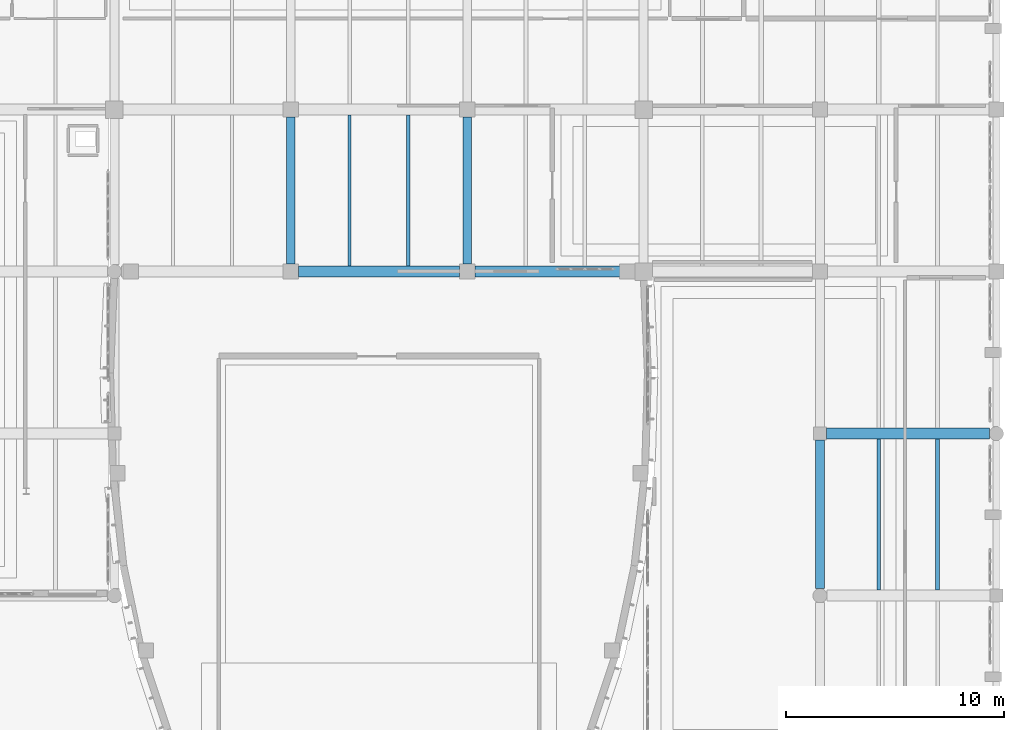
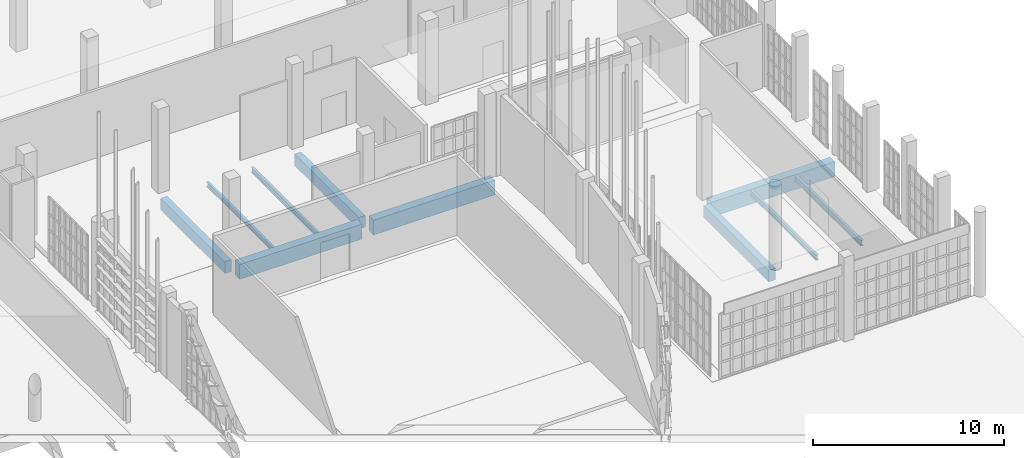
# One storey, part 281 of 372: 10 beams.
"""IFC4 building model written with IfcOpenShell, lengths in metres."""

import ifcopenshell
import ifcopenshell.guid

model = None  # the IFC model being written
_history = None  # IfcOwnerHistory: only IFC2X3 demands one
_inside = {}  # id of a spatial element -> (the spatial element, [elements in it])
_under = {}  # id of a project, library or spatial element -> (it, [spatial elements below it])
_declared = {}  # id of a project -> (the project, [libraries it declares])
_typed = {}  # id of a type object -> (the type object, [elements of that type])
_made_of = {}  # id of a material, layer set ... -> (it, [elements and type objects made of it])


def new_model(schema):
    """Start an empty IFC model of exactly this schema.

    Asked for "IFC4X3", IfcOpenShell would pick the latest addendum, in which some entities
    have other attributes; the version numbers below select the first issue.
    IFC2X3 requires an IfcOwnerHistory on every rooted entity: one is made here for all.
    """
    global model, _history
    if schema == "IFC4X3":
        model = ifcopenshell.file(schema_version=(4, 3, 0, 0))
    else:
        model = ifcopenshell.file(schema=schema)
    _inside.clear()
    _under.clear()
    _declared.clear()
    _typed.clear()
    _made_of.clear()
    _history = None
    if model.schema == "IFC2X3":
        org = make("IfcOrganization", Name="unknown")
        user = make(
            "IfcPersonAndOrganization",
            ThePerson=make("IfcPerson", FamilyName="unknown"),
            TheOrganization=org,
        )
        app = make(
            "IfcApplication",
            ApplicationDeveloper=org,
            Version="unknown",
            ApplicationFullName="unknown",
            ApplicationIdentifier="unknown",
        )
        _history = make(
            "IfcOwnerHistory",
            OwningUser=user,
            OwningApplication=app,
            ChangeAction="ADDED",
            CreationDate=0,
        )
    return model


def make(cls, **values):
    """One entity of the class cls with the attributes given. An attribute that is None is left unset."""
    return model.create_entity(
        cls, **{name: value for name, value in values.items() if value is not None}
    )


def rooted(cls, **values):
    """An entity with a GlobalId (a new one), such as an element, a storey or a relation."""
    return make(cls, GlobalId=ifcopenshell.guid.new(), OwnerHistory=_history, **values)


def si_unit(unit_type, name, prefix=None):
    """IfcSIUnit, for example si_unit("LENGTHUNIT", "METRE", prefix="MILLI")."""
    return make("IfcSIUnit", UnitType=unit_type, Prefix=prefix, Name=name)


def assignment(units):
    """IfcUnitAssignment: the units of a project."""
    return None if units is None else make("IfcUnitAssignment", Units=units)


def point(xyz):
    """IfcCartesianPoint."""
    return None if xyz is None else make("IfcCartesianPoint", Coordinates=xyz)


def direction(xyz):
    """IfcDirection."""
    return None if xyz is None else make("IfcDirection", DirectionRatios=xyz)


def frame(location, z_axis=None, x_axis=None):
    """IfcAxis2Placement3D, a coordinate frame: its origin and axes. An axis left out is left unset."""
    return make(
        "IfcAxis2Placement3D",
        Location=point(location),
        Axis=direction(z_axis),
        RefDirection=direction(x_axis),
    )


def frame_2d(location, x_axis=None):
    """IfcAxis2Placement2D, a coordinate frame in the plane: its origin and x axis."""
    return make(
        "IfcAxis2Placement2D", Location=point(location), RefDirection=direction(x_axis)
    )


def origin():
    """The frame at (0, 0, 0) with its axes left unset."""
    return frame((0.0, 0.0, 0.0))


def origin_2d():
    """The frame at (0, 0) in the plane with its x axis left unset."""
    return frame_2d((0.0, 0.0))


def place(relative_to, where):
    """IfcLocalPlacement: puts the frame where relative to a parent placement (None: the world)."""
    return make(
        "IfcLocalPlacement", PlacementRelTo=relative_to, RelativePlacement=where
    )


def context(
    kind, dimensions, precision=None, world=None, true_north=None, identifier=None
):
    """IfcGeometricRepresentationContext, for example the 3D "Model" context."""
    return make(
        "IfcGeometricRepresentationContext",
        ContextIdentifier=identifier,
        ContextType=kind,
        CoordinateSpaceDimension=dimensions,
        Precision=precision,
        WorldCoordinateSystem=world,
        TrueNorth=true_north,
    )


def subcontext(parent, identifier, kind, view, scale=None):
    """IfcGeometricRepresentationSubContext, for example "Body" below "Model"."""
    return make(
        "IfcGeometricRepresentationSubContext",
        ContextIdentifier=identifier,
        ContextType=kind,
        ParentContext=parent,
        TargetScale=scale,
        TargetView=view,
    )


def project(units=None, contexts=None):
    """IfcProject with its units and contexts."""
    return rooted(
        "IfcProject",
        Name="project",
        RepresentationContexts=contexts,
        UnitsInContext=assignment(units),
    )


def spatial(cls, under=None, at=None, **own):
    """A site, building, storey or space (cls), placed at a placement, below another one or the project."""
    s = rooted(cls, ObjectPlacement=at, **own)
    if under is not None:
        _under.setdefault(under.id(), (under, []))[1].append(s)
    return s


def profile(cls, at=None, kind="AREA", **sizes):
    """A parametric profile (cls). Its sizes go by their IFC names, for example OverallWidth=200.0."""
    return make(cls, ProfileType=kind, Position=at, **sizes)


def rectangle(**sizes):
    """IfcRectangleProfileDef."""
    return profile("IfcRectangleProfileDef", **sizes)


def i_section(**sizes):
    """IfcIShapeProfileDef."""
    return profile("IfcIShapeProfileDef", **sizes)


def extrude(swept, where, along, depth):
    """IfcExtrudedAreaSolid: the profile swept, set in the frame where, extruded along a direction by depth."""
    return make(
        "IfcExtrudedAreaSolid",
        SweptArea=swept,
        Position=where,
        ExtrudedDirection=direction(along),
        Depth=depth,
    )


def shape(context_of_items, identifier, shape_type, items):
    """IfcShapeRepresentation: the items that make up one representation, for example the "Body"."""
    return make(
        "IfcShapeRepresentation",
        ContextOfItems=context_of_items,
        RepresentationIdentifier=identifier,
        RepresentationType=shape_type,
        Items=items,
    )


def material(Name=None, Category=None):
    """IfcMaterial."""
    return make("IfcMaterial", Name=Name, Category=Category)


def material_profile(
    of_material, cross_section, Name=None, Category=None, Priority=None
):
    """IfcMaterialProfile: a cross section and its material."""
    return make(
        "IfcMaterialProfile",
        Name=Name,
        Material=of_material,
        Profile=cross_section,
        Priority=Priority,
        Category=Category,
    )


def profile_set(profiles, Name=None, composite=None):
    """IfcMaterialProfileSet."""
    return make(
        "IfcMaterialProfileSet",
        Name=Name,
        MaterialProfiles=profiles,
        CompositeProfile=composite,
    )


def made_of(thing, what):
    """Note that an element or type object is made of a material, layer set ...; save() writes the relation."""
    if what is not None:
        _made_of.setdefault(what.id(), (what, []))[1].append(thing)
    return thing


def type_object(cls, material=None, **own):
    """A type object (cls), such as IfcWallType, which elements share."""
    return made_of(rooted(cls, **own), material)


def element(
    cls,
    number,
    at=None,
    inside=None,
    cuts=None,
    type_object=None,
    material=None,
    context=None,
    identifier="Body",
    shape_type=None,
    held_by="IfcProductDefinitionShape",
    body=None,
    shapes=None,
    **own,
):
    """One element of the class cls, such as IfcWall. Its Tag is "e" and its number.

    at: its placement. inside: the storey or other place that contains it. cuts: it is an
    opening in that element (IfcRelVoidsElement). A single representation is given by context,
    identifier, shape_type and body (its items); several are given by shapes. held_by: the class
    of the entity that holds the representations. save() writes the other relations.
    """
    e = rooted(cls, Tag="e%d" % number, ObjectPlacement=at, **own)
    if body is not None:
        shapes = [shape(context, identifier, shape_type, body)]
    if shapes is not None:
        e.Representation = make(held_by, Representations=shapes)
    if inside is not None:
        _inside.setdefault(inside.id(), (inside, []))[1].append(e)
    if cuts is not None:
        rooted(
            "IfcRelVoidsElement", RelatingBuildingElement=cuts, RelatedOpeningElement=e
        )
    if type_object is not None:
        _typed.setdefault(type_object.id(), (type_object, []))[1].append(e)
    return made_of(e, material)


def aggregate(whole, parts):
    """IfcRelAggregates: a whole, such as a stair, and the parts it consists of."""
    return rooted("IfcRelAggregates", RelatingObject=whole, RelatedObjects=parts)


def save(model, path):
    """Write the relations noted so far, then the file.

    IfcRelAggregates (storeys below a building ...), IfcRelContainedInSpatialStructure (elements
    in a storey), IfcRelDefinesByType, IfcRelAssociatesMaterial and IfcRelDeclares: one each for
    every whole, place, type object, material and project.
    """
    for whole, parts in _under.values():
        aggregate(whole, parts)
    for where, things in _inside.values():
        rooted(
            "IfcRelContainedInSpatialStructure",
            RelatedElements=things,
            RelatingStructure=where,
        )
    for kind, things in _typed.values():
        rooted("IfcRelDefinesByType", RelatedObjects=things, RelatingType=kind)
    for what, things in _made_of.values():
        rooted("IfcRelAssociatesMaterial", RelatedObjects=things, RelatingMaterial=what)
    for by, libraries in _declared.values():
        rooted("IfcRelDeclares", RelatingContext=by, RelatedDefinitions=libraries)
    model.write(path)


model = new_model("IFC4")

# Units and contexts
model_context = context("Model", 3, precision=1e-05, world=origin(), true_north=direction((0.0, 1.0)))
body_context = subcontext(model_context, "Body", "Model", "MODEL_VIEW")
ifc_project = project(units=[si_unit("LENGTHUNIT", "METRE"), si_unit("AREAUNIT", "SQUARE_METRE"), si_unit("VOLUMEUNIT", "CUBIC_METRE"), si_unit("PLANEANGLEUNIT", "RADIAN"), si_unit("MASSUNIT", "GRAM", prefix="KILO")], contexts=[model_context])

# Site, building, storey
site_placement = place(None, origin())
site = spatial("IfcSite", under=ifc_project, at=site_placement, CompositionType="ELEMENT")
building_placement = place(site_placement, origin())
building = spatial("IfcBuilding", under=site, at=building_placement, Name="Kaelora Sail Theatre", CompositionType="ELEMENT")
storey_placement = place(building_placement, origin())
storey = spatial("IfcBuildingStorey", under=building, at=storey_placement, Name="L00", CompositionType="ELEMENT", Elevation=0.0)

# Beams
ifc_material_1 = material(Name="Concrete C40/50", Category="concrete")
ifc_material_profile_1 = material_profile(ifc_material_1, rectangle(XDim=0.39990234375, YDim=0.75, at=origin_2d()), Name="RC-BM 400x750")
ifc_profile_set_1 = profile_set([ifc_material_profile_1], Name="Concrete C40/50")
beam_type_1 = type_object("IfcBeamType", Name="STR-BM-BM-RC4075", PredefinedType="BEAM", material=ifc_profile_set_1)
for number, where, z_axis, x_axis, name in (
    (1, (131.10009765625, 53.929931640625, -0.695068359375), (0.0, 1.0, 0.0), (-1.0, 0.0, 0.0), "Primary beam 17 H-I (L00)"),
    (2, (139.199951171875, 53.929931640625, -0.695068359375), (0.0, 1.0, 0.0), (-1.0, 0.0, 0.0), "Primary beam 18 H-I (L00)"),
):
    element("IfcBeam", number, at=place(storey_placement, frame(where, z_axis=z_axis, x_axis=x_axis)), inside=storey, type_object=beam_type_1, Name=name, PredefinedType="BEAM", context=body_context, shape_type="SweptSolid", body=[
        extrude(rectangle(XDim=0.39990234375, YDim=0.75, at=origin_2d()), origin(), (0.0, 0.0, 1.0), 6.739990234375),
    ])
beam_1_placement = place(storey_placement, frame((155.39990234375, 39.02490234375, -0.695068359375), z_axis=(0.0, 1.0, 0.0), x_axis=(-1.0, 0.0, 0.0)))
element("IfcBeam", 3, at=beam_1_placement, inside=storey, type_object=beam_type_1, Name="Primary beam 20 F-G (L00)", PredefinedType="BEAM", context=body_context, shape_type="SweptSolid", body=[
    extrude(rectangle(XDim=0.39990234375, YDim=0.75, at=origin_2d()), origin(), (0.0, 0.0, 1.0), 6.815185546875),
])
ifc_material_2 = material(Name="Concrete C45/55", Category="concrete")
ifc_material_profile_2 = material_profile(ifc_material_2, rectangle(XDim=0.5, YDim=0.949951171875, at=origin_2d()), Name="RC-GRD 500x950")
ifc_profile_set_2 = profile_set([ifc_material_profile_2], Name="Concrete C45/55")
beam_type_2 = type_object("IfcBeamType", Name="STR-BM-GR-RC5095", PredefinedType="T_BEAM", material=ifc_profile_set_2)
beam_2_placement = place(storey_placement, frame((131.449951171875, 53.580078125, -0.794921875), z_axis=(1.0, 0.0, 0.0), x_axis=(0.0, 1.0, 0.0)))
element("IfcBeam", 4, at=beam_2_placement, inside=storey, type_object=beam_type_2, Name="Primary beam H 17-18 (L00)", PredefinedType="T_BEAM", context=body_context, shape_type="SweptSolid", body=[
    extrude(rectangle(XDim=0.5, YDim=0.949951171875, at=origin_2d()), origin(), (0.0, 0.0, 1.0), 7.400146484375),
])
beam_3_placement = place(storey_placement, frame((139.550048828125, 53.580078125, -0.794921875), z_axis=(1.0, 0.0, 0.0), x_axis=(0.0, 1.0, 0.0)))
element("IfcBeam", 5, at=beam_3_placement, inside=storey, type_object=beam_type_2, Name="Primary beam H 18-19 (L00)", PredefinedType="T_BEAM", context=body_context, shape_type="SweptSolid", body=[
    extrude(rectangle(XDim=0.5, YDim=0.949951171875, at=origin_2d()), origin(), (0.0, 0.0, 1.0), 7.349853515625),
])
beam_4_placement = place(storey_placement, frame((155.699951171875, 46.139892578125, -0.794921875), z_axis=(1.0, 0.0, 0.0), x_axis=(0.0, 1.0, 0.0)))
element("IfcBeam", 6, at=beam_4_placement, inside=storey, type_object=beam_type_2, Name="Primary beam G 20-21 (L00)", PredefinedType="T_BEAM", context=body_context, shape_type="SweptSolid", body=[
    extrude(rectangle(XDim=0.5, YDim=0.949951171875, at=origin_2d()), origin(), (0.0, 0.0, 1.0), 7.47509765625),
])
ifc_material_3 = material(Name="Steel S355", Category="steel")
ifc_material_profile_3 = material_profile(ifc_material_3, i_section(OverallWidth=0.14990234375, OverallDepth=0.300048828125, WebThickness=0.007080078125, FlangeThickness=0.0107421875, FilletRadius=0.014892578125, at=origin_2d()), Name="IPE 300")
ifc_profile_set_3 = profile_set([ifc_material_profile_3], Name="Steel S355")
beam_type_3 = type_object("IfcBeamType", Name="STR-BM-JS-IPE300", PredefinedType="JOIST", material=ifc_profile_set_3)
beam_5_placement = place(storey_placement, frame((133.800048828125, 53.830078125, -0.469970703125), z_axis=(0.0, 1.0, 0.0), x_axis=(-1.0, 0.0, 0.0)))
element("IfcBeam", 7, at=beam_5_placement, inside=storey, type_object=beam_type_3, Name="Secondary floor joist 17/H-1 (L00)", PredefinedType="JOIST", context=body_context, shape_type="SweptSolid", body=[
    extrude(i_section(OverallWidth=0.14990234375, OverallDepth=0.300048828125, WebThickness=0.007080078125, FlangeThickness=0.0107421875, FilletRadius=0.014892578125, at=origin_2d()), origin(), (0.0, 0.0, 1.0), 6.93994140625),
])
ifc_material_4 = material(Name="Steel S355", Category="steel")
ifc_material_profile_4 = material_profile(ifc_material_4, i_section(OverallWidth=0.159912109375, OverallDepth=0.330078125, WebThickness=0.007568359375, FlangeThickness=0.011474609375, FilletRadius=0.01806640625, at=origin_2d()), Name="IPE 330")
ifc_profile_set_4 = profile_set([ifc_material_profile_4], Name="Steel S355")
beam_type_4 = type_object("IfcBeamType", Name="STR-BM-JS-IPE330", PredefinedType="JOIST", material=ifc_profile_set_4)
for number, where, z_axis, x_axis, name in (
    (8, (136.5, 53.830078125, -0.485107421875), (0.0, 1.0, 0.0), (-1.0, 0.0, 0.0), "Secondary floor joist 17/H-2 (L00)"),
    (9, (158.10009765625, 38.949951171875, -0.485107421875), (0.0, 1.0, 0.0), (-1.0, 0.0, 0.0), "Secondary floor joist 20/F-1 (L00)"),
):
    element("IfcBeam", number, at=place(storey_placement, frame(where, z_axis=z_axis, x_axis=x_axis)), inside=storey, type_object=beam_type_4, Name=name, PredefinedType="JOIST", context=body_context, shape_type="SweptSolid", body=[
        extrude(i_section(OverallWidth=0.159912109375, OverallDepth=0.330078125, WebThickness=0.007568359375, FlangeThickness=0.011474609375, FilletRadius=0.01806640625, at=origin_2d()), origin(), (0.0, 0.0, 1.0), 6.93994140625),
    ])
ifc_material_5 = material(Name="Steel S355", Category="steel")
ifc_material_profile_5 = material_profile(ifc_material_5, i_section(OverallWidth=0.169921875, OverallDepth=0.360107421875, WebThickness=0.008056640625, FlangeThickness=0.0126953125, FilletRadius=0.01806640625, at=origin_2d()), Name="IPE 360")
ifc_profile_set_5 = profile_set([ifc_material_profile_5], Name="Steel S355")
beam_type_5 = type_object("IfcBeamType", Name="STR-BM-JS-IPE360", PredefinedType="JOIST", material=ifc_profile_set_5)
beam_6_placement = place(storey_placement, frame((160.800048828125, 38.949951171875, -0.5), z_axis=(0.0, 1.0, 0.0), x_axis=(-1.0, 0.0, 0.0)))
element("IfcBeam", 10, at=beam_6_placement, inside=storey, type_object=beam_type_5, Name="Secondary floor joist 20/F-2 (L00)", PredefinedType="JOIST", context=body_context, shape_type="SweptSolid", body=[
    extrude(i_section(OverallWidth=0.169921875, OverallDepth=0.360107421875, WebThickness=0.008056640625, FlangeThickness=0.0126953125, FilletRadius=0.01806640625, at=origin_2d()), origin(), (0.0, 0.0, 1.0), 6.93994140625),
])

save(model, "model.ifc")
